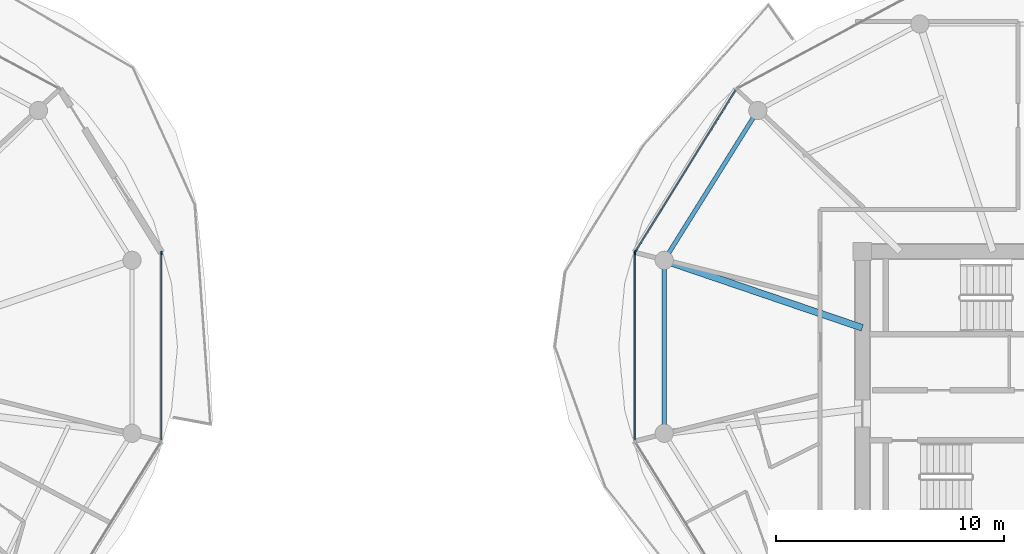
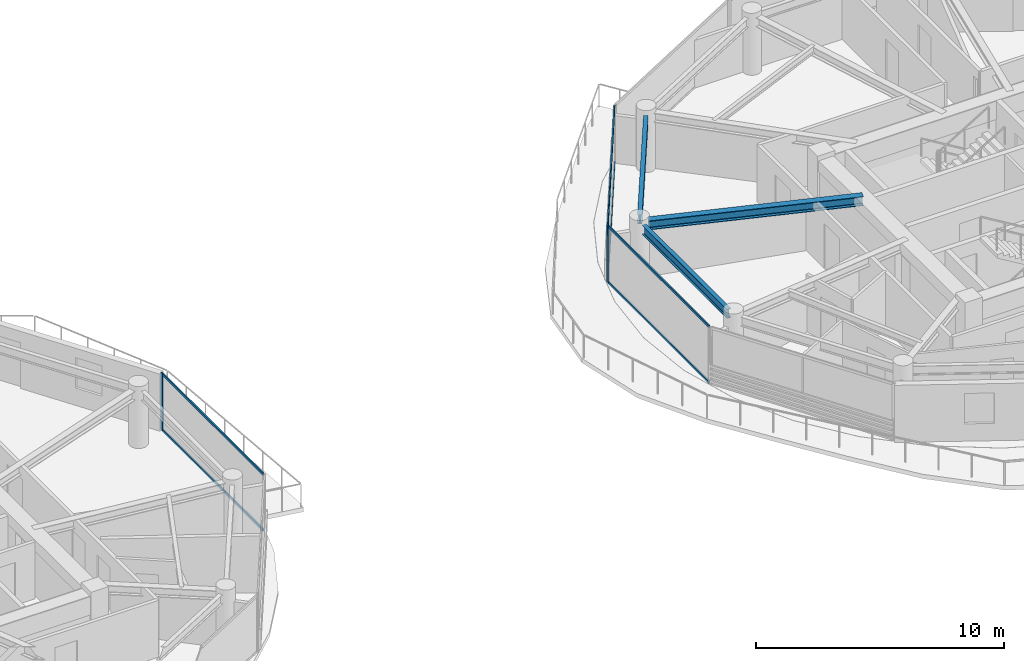
# One storey, part 7 of 22: 9 members, 3 beams, 3 elements without a shape of their own.
"""IFC4 building model written with IfcOpenShell, lengths in metres."""

from ifc_helpers import new_model, si_unit, direction, frame, origin, origin_2d, place, context, subcontext, project, spatial, rectangle, i_section, extrude, source, transform, mapped, material, layer, layer_set, material_profile, profile_set, type_object, type_shapes, element, aggregate, save


model = new_model("IFC4")

# Units and contexts
model_context = context("Model", 3, precision=1e-05, world=origin(), true_north=direction((0.0, 1.0)))
body_context = subcontext(model_context, "Body", "Model", "MODEL_VIEW")
ifc_project = project(units=[si_unit("LENGTHUNIT", "METRE"), si_unit("AREAUNIT", "SQUARE_METRE"), si_unit("VOLUMEUNIT", "CUBIC_METRE"), si_unit("PLANEANGLEUNIT", "RADIAN"), si_unit("MASSUNIT", "GRAM", prefix="KILO")], contexts=[model_context])

# Site, building, storey
site_placement = place(None, origin())
site = spatial("IfcSite", under=ifc_project, at=site_placement, CompositionType="ELEMENT")
building_placement = place(site_placement, origin())
building = spatial("IfcBuilding", under=site, at=building_placement, Name="Norrkilde Senior Care Towers", CompositionType="ELEMENT")
storey_placement = place(building_placement, frame((0.0, 0.0, 137.35009765625)))
storey = spatial("IfcBuildingStorey", under=building, at=storey_placement, Name="L42", CompositionType="ELEMENT", Elevation=137.35009765625)

# Beams
ifc_material_1 = material(Name="Steel S355", Category="steel")
ifc_material_profile_1 = material_profile(ifc_material_1, i_section(OverallWidth=0.18994140625, OverallDepth=0.449951171875, WebThickness=0.009521484375, FlangeThickness=0.0146484375, FilletRadius=0.02099609375, at=origin_2d()), Name="IPE 450")
ifc_profile_set_1 = profile_set([ifc_material_profile_1], Name="Steel S355")
beam_type_1 = type_object("IfcBeamType", Name="Perimeter Ring Spandrel Z3 IPE450", PredefinedType="SPANDREL", material=ifc_profile_set_1)
shared_shape_1 = source(origin(), body_context, "Body", "SweptSolid", [
    extrude(i_section(OverallWidth=0.18994140625, OverallDepth=0.449951171875, WebThickness=0.009521484375, FlangeThickness=0.0146484375, FilletRadius=0.02099609375, at=origin_2d()), origin(), (0.0, 0.0, 1.0), 7.0234375),
])
beam_1_placement = place(storey_placement, frame((15.57666015625, 11.8291015625, 2.5849609375), z_axis=(-0.529789577822, -0.848129119433, 0.0), x_axis=(0.848129119433, -0.529789577822, 0.0)))
element("IfcBeam", 1, at=beam_1_placement, inside=storey, type_object=beam_type_1, Name="L42 Drum E Perimeter Spandrel 05", PredefinedType="SPANDREL", context=body_context, shape_type="MappedRepresentation", body=[
    mapped(shared_shape_1, transform((0.0, 0.0, 0.0), x_axis=(1.0, 0.0, 0.0), y_axis=(0.0, 1.0, 0.0), z_axis=(0.0, 0.0, 1.0), scale=1.0)),
])
ifc_material_profile_2 = material_profile(ifc_material_1, i_section(OverallWidth=0.300048828125, OverallDepth=0.449951171875, WebThickness=0.013916015625, FlangeThickness=0.02587890625, FilletRadius=0.027099609375, at=origin_2d()), Name="HEB 450")
ifc_profile_set_2 = profile_set([ifc_material_profile_2], Name="Steel S355")
beam_type_2 = type_object("IfcBeamType", Name="Radial Floor Beam Z3 HEB450", PredefinedType="BEAM", material=ifc_profile_set_2)
shared_shape_2 = source(origin(), body_context, "Body", "SweptSolid", [
    extrude(i_section(OverallWidth=0.300048828125, OverallDepth=0.449951171875, WebThickness=0.013916015625, FlangeThickness=0.02587890625, FilletRadius=0.027099609375, at=origin_2d()), origin(), (0.0, 0.0, 1.0), 8.8154296875),
])
type_shapes(beam_type_2, [shared_shape_2])
beam_2_placement = place(storey_placement, frame((20.35009765625, 2.607177734375, 2.5849609375), z_axis=(-0.946540556878, 0.322584832539, 0.0), x_axis=(-0.322584832539, -0.946540556878, 0.0)))
element("IfcBeam", 2, at=beam_2_placement, inside=storey, type_object=beam_type_2, Name="L42 Drum E Radial Floor Beam 06", PredefinedType="BEAM", context=body_context, shape_type="MappedRepresentation", body=[
    mapped(shared_shape_2, transform((0.0, 0.0, 0.0), x_axis=(1.0, 0.0, 0.0), y_axis=(0.0, 1.0, 0.0), z_axis=(0.0, 0.0, 1.0), scale=1.0)),
])
shared_shape_3 = source(origin(), body_context, "Body", "SweptSolid", [
    extrude(i_section(OverallWidth=0.18994140625, OverallDepth=0.449951171875, WebThickness=0.009521484375, FlangeThickness=0.0146484375, FilletRadius=0.02099609375, at=origin_2d()), origin(), (0.0, 0.0, 1.0), 6.86328125),
])
type_shapes(beam_type_1, [shared_shape_1, shared_shape_3])
beam_3_placement = place(storey_placement, frame((11.6650390625, 5.20703125, 2.5849609375), z_axis=(0.0, -1.0, 0.0), x_axis=(1.0, 0.0, 0.0)))
element("IfcBeam", 3, at=beam_3_placement, inside=storey, type_object=beam_type_1, Name="L42 Drum E Perimeter Spandrel 06", PredefinedType="SPANDREL", context=body_context, shape_type="MappedRepresentation", body=[
    mapped(shared_shape_3, transform((0.0, 0.0, 0.0), x_axis=(1.0, 0.0, 0.0), y_axis=(0.0, 1.0, 0.0), z_axis=(0.0, 0.0, 1.0), scale=1.0)),
])

# Curtain wall, members
ifc_material_2 = material(Name="Triple Low-E Insulated Glazing", Category="glass")
ifc_layer = layer(ifc_material_2, 0.18994140625)
ifc_layer_set = layer_set([ifc_layer], Name="Triple Low-E Insulated Glazing")
curtain_wall_type = type_object("IfcCurtainWallType", Name="CW4 Zone 3 Senior Residence Curtain Wall", PredefinedType="NOTDEFINED", material=ifc_layer_set)
curtain_wall_1_placement = place(storey_placement, origin())
curtain_wall_1 = element("IfcCurtainWall", 4, at=curtain_wall_1_placement, inside=storey, type_object=curtain_wall_type, Name="L42 Drum E Curtain Wall 04", PredefinedType="NOTDEFINED")
ifc_material_3 = material(Name="Anodised Aluminium", Category="aluminium")
ifc_material_profile_3 = material_profile(ifc_material_3, rectangle(XDim=0.06005859375, YDim=0.1201171875, at=origin_2d()), Name="ALU TRAN 60x120")
ifc_profile_set_3 = profile_set([ifc_material_profile_3], Name="Anodised Aluminium")
member_type_1 = type_object("IfcMemberType", Name="Curtain Wall Transom Typical 60x120", PredefinedType="USERDEFINED", material=ifc_profile_set_3)
shared_shape_4 = source(origin(), body_context, "Body", "SweptSolid", [
    extrude(rectangle(XDim=0.06005859375, YDim=0.1201171875, at=origin_2d()), origin(), (0.0, 0.0, 1.0), 8.301513671875),
])
member_1_placement = place(storey_placement, frame((10.414794921875, 5.966552734375, 0.02978515625), z_axis=(0.527368718394, 0.849636531029, 0.0), x_axis=(-0.849636531029, 0.527368718394, 0.0)))
member_1 = element("IfcMember", 5, at=member_1_placement, type_object=member_type_1, Name="CW-4 transom 1.1", ObjectType="TRANSOM", PredefinedType="USERDEFINED", context=body_context, shape_type="MappedRepresentation", body=[
    mapped(shared_shape_4, transform((0.0, 0.0, 0.0), x_axis=(1.0, 0.0, 0.0), y_axis=(0.0, 1.0, 0.0), z_axis=(0.0, 0.0, 1.0), scale=1.0)),
])
member_2_placement = place(storey_placement, frame((10.414794921875, 5.966552734375, 2.77978515625), z_axis=(0.527368718394, 0.849636531029, 0.0), x_axis=(-0.849636531029, 0.527368718394, 0.0)))
member_2 = element("IfcMember", 6, at=member_2_placement, type_object=member_type_1, Name="CW-4 transom 1.2", ObjectType="TRANSOM", PredefinedType="USERDEFINED", context=body_context, shape_type="MappedRepresentation", body=[
    mapped(shared_shape_4, transform((0.0, 0.0, 0.0), x_axis=(1.0, 0.0, 0.0), y_axis=(0.0, 1.0, 0.0), z_axis=(0.0, 0.0, 1.0), scale=1.0)),
])

curtain_wall_2_placement = place(storey_placement, origin())
curtain_wall_2 = element("IfcCurtainWall", 7, at=curtain_wall_2_placement, inside=storey, type_object=curtain_wall_type, Name="L42 Drum W Curtain Wall 11", PredefinedType="NOTDEFINED")
shared_shape_5 = source(origin(), body_context, "Body", "SweptSolid", [
    extrude(rectangle(XDim=0.06005859375, YDim=0.1201171875, at=origin_2d()), origin(), (0.0, 0.0, 1.0), 8.141845703125),
])
type_shapes(member_type_1, [shared_shape_4, shared_shape_5])
member_3_placement = place(storey_placement, frame((-10.38037109375, 5.84619140625, 0.02978515625), z_axis=(0.0, -1.0, 0.0), x_axis=(1.0, 0.0, 0.0)))
member_3 = element("IfcMember", 8, at=member_3_placement, type_object=member_type_1, Name="CW-4 transom 1.1", ObjectType="TRANSOM", PredefinedType="USERDEFINED", context=body_context, shape_type="MappedRepresentation", body=[
    mapped(shared_shape_5, transform((0.0, 0.0, 0.0), x_axis=(1.0, 0.0, 0.0), y_axis=(0.0, 1.0, 0.0), z_axis=(0.0, 0.0, 1.0), scale=1.0)),
])
member_4_placement = place(storey_placement, frame((-10.38037109375, 5.84619140625, 2.77978515625), z_axis=(0.0, -1.0, 0.0), x_axis=(1.0, 0.0, 0.0)))
member_4 = element("IfcMember", 9, at=member_4_placement, type_object=member_type_1, Name="CW-4 transom 1.2", ObjectType="TRANSOM", PredefinedType="USERDEFINED", context=body_context, shape_type="MappedRepresentation", body=[
    mapped(shared_shape_5, transform((0.0, 0.0, 0.0), x_axis=(1.0, 0.0, 0.0), y_axis=(0.0, 1.0, 0.0), z_axis=(0.0, 0.0, 1.0), scale=1.0)),
])

curtain_wall_3_placement = place(storey_placement, origin())
curtain_wall_3 = element("IfcCurtainWall", 10, at=curtain_wall_3_placement, inside=storey, type_object=curtain_wall_type, Name="L42 Drum E Curtain Wall 05", PredefinedType="NOTDEFINED")
member_5_placement = place(storey_placement, frame((10.38037109375, -2.295654296875, 0.02978515625), z_axis=(0.0, 1.0, 0.0), x_axis=(-1.0, 0.0, 0.0)))
member_5 = element("IfcMember", 11, at=member_5_placement, type_object=member_type_1, Name="CW-4 transom 1.1", ObjectType="TRANSOM", PredefinedType="USERDEFINED", context=body_context, shape_type="MappedRepresentation", body=[
    mapped(shared_shape_5, transform((0.0, 0.0, 0.0), x_axis=(1.0, 0.0, 0.0), y_axis=(0.0, 1.0, 0.0), z_axis=(0.0, 0.0, 1.0), scale=1.0)),
])
member_6_placement = place(storey_placement, frame((10.38037109375, -2.295654296875, 2.77978515625), z_axis=(0.0, 1.0, 0.0), x_axis=(-1.0, 0.0, 0.0)))
member_6 = element("IfcMember", 12, at=member_6_placement, type_object=member_type_1, Name="CW-4 transom 1.2", ObjectType="TRANSOM", PredefinedType="USERDEFINED", context=body_context, shape_type="MappedRepresentation", body=[
    mapped(shared_shape_5, transform((0.0, 0.0, 0.0), x_axis=(1.0, 0.0, 0.0), y_axis=(0.0, 1.0, 0.0), z_axis=(0.0, 0.0, 1.0), scale=1.0)),
])

# Member
ifc_material_profile_4 = material_profile(ifc_material_3, rectangle(XDim=0.06494140625, YDim=0.14990234375, at=origin_2d()), Name="ALU MULL 65x150")
ifc_profile_set_4 = profile_set([ifc_material_profile_4], Name="Anodised Aluminium")
member_type_2 = type_object("IfcMemberType", Name="Curtain Wall Mullion Z3-Z4 65x150", PredefinedType="MULLION", material=ifc_profile_set_4)
shared_shape_6 = source(origin(), body_context, "Body", "SweptSolid", [
    extrude(rectangle(XDim=0.06494140625, YDim=0.14990234375, at=origin_2d()), origin(), (0.0, 0.0, 1.0), 2.809814453125),
])
type_shapes(member_type_2, [shared_shape_6])
member_7_placement = place(storey_placement, frame((-10.38037109375, 5.878662109375, 0.0), z_axis=(0.0, 0.0, 1.0), x_axis=(1.0, 0.0, 0.0)))
member_7 = element("IfcMember", 13, at=member_7_placement, type_object=member_type_2, Name="CW-4 mullion 1", PredefinedType="MULLION", context=body_context, shape_type="MappedRepresentation", body=[
    mapped(shared_shape_6, transform((0.0, 0.0, 0.0), x_axis=(1.0, 0.0, 0.0), y_axis=(0.0, 1.0, 0.0), z_axis=(0.0, 0.0, 1.0), scale=1.0)),
])

aggregate(curtain_wall_2, [member_7, member_3, member_4])

member_8_placement = place(storey_placement, frame((10.3974609375, 5.93896484375, 0.0), z_axis=(0.0, 0.0, 1.0), x_axis=(-0.84963405474, 0.52737270789, 0.0)))
member_8 = element("IfcMember", 14, at=member_8_placement, type_object=member_type_2, Name="CW-4 mullion 1", PredefinedType="MULLION", context=body_context, shape_type="MappedRepresentation", body=[
    mapped(shared_shape_6, transform((0.0, 0.0, 0.0), x_axis=(1.0, 0.0, 0.0), y_axis=(0.0, 1.0, 0.0), z_axis=(0.0, 0.0, 1.0), scale=1.0)),
])

aggregate(curtain_wall_1, [member_8, member_1, member_2])

member_9_placement = place(storey_placement, frame((10.38037109375, 5.878662109375, 0.0), z_axis=(0.0, 0.0, 1.0), x_axis=(-1.0, 0.0, 0.0)))
member_9 = element("IfcMember", 15, at=member_9_placement, type_object=member_type_2, Name="CW-4 mullion 2", PredefinedType="MULLION", context=body_context, shape_type="MappedRepresentation", body=[
    mapped(shared_shape_6, transform((0.0, 0.0, 0.0), x_axis=(1.0, 0.0, 0.0), y_axis=(0.0, 1.0, 0.0), z_axis=(0.0, 0.0, 1.0), scale=1.0)),
])

aggregate(curtain_wall_3, [member_9, member_5, member_6])

save(model, "model.ifc")
